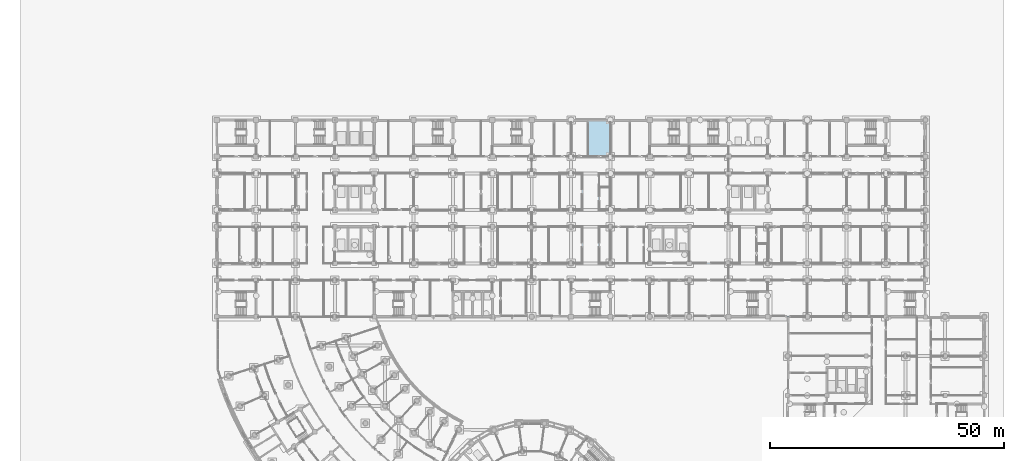
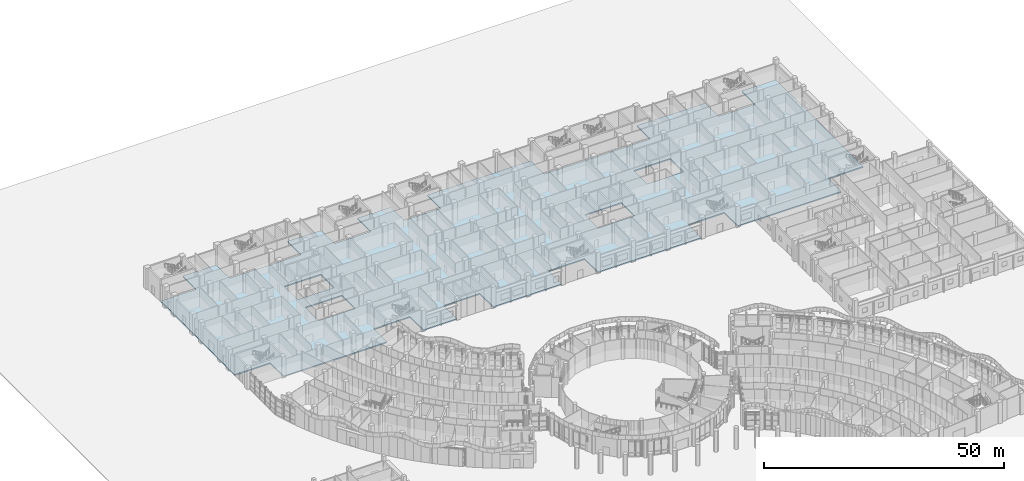
# One storey, part 47 of 146: 1 slab.
"""IFC4 building model written with IfcOpenShell, lengths in metres."""

from ifc_helpers import new_model, si_unit, direction, frame, origin, place, context, subcontext, project, spatial, polyline, outline, extrude, material, layer, layer_set, type_object, element, save


model = new_model("IFC4")

# Units and contexts
model_context = context("Model", 3, precision=1e-05, world=origin(), true_north=direction((0.0, 1.0)))
body_context = subcontext(model_context, "Body", "Model", "MODEL_VIEW")
ifc_project = project(units=[si_unit("LENGTHUNIT", "METRE"), si_unit("AREAUNIT", "SQUARE_METRE"), si_unit("VOLUMEUNIT", "CUBIC_METRE"), si_unit("PLANEANGLEUNIT", "RADIAN"), si_unit("MASSUNIT", "GRAM", prefix="KILO")], contexts=[model_context])

# Site, building, storey
site_placement = place(None, origin())
site = spatial("IfcSite", under=ifc_project, at=site_placement, CompositionType="ELEMENT")
building_placement = place(site_placement, origin())
building = spatial("IfcBuilding", under=site, at=building_placement, Name="Bougainvillea Quay General Hospital", CompositionType="ELEMENT")
storey_placement = place(building_placement, origin())
storey = spatial("IfcBuildingStorey", under=building, at=storey_placement, Name="L00", CompositionType="ELEMENT", Elevation=0.0)

# Slab
ifc_material = material(Name="Concrete C35", Category="concrete")
ifc_layer = layer(ifc_material, 0.300048828125)
ifc_layer_set = layer_set([ifc_layer], Name="Concrete C35")
slab_type = type_object("IfcSlabType", Name="RC FLAT SLAB 300 C35 GROUND", PredefinedType="BASESLAB", material=ifc_layer_set)
slab_placement = place(storey_placement, frame((0.0, 0.0, -0.300048828125)))
element("IfcSlab", 1, at=slab_placement, inside=storey, type_object=slab_type, Name="Slab S1 L00", PredefinedType="BASESLAB", context=body_context, shape_type="SweptSolid", body=[
    extrude(outline(polyline([(159.77490234375, 117.60009765625), (184.625, 117.60009765625), (184.625, 122.824951171875), (184.625, 123.175048828125), (193.02490234375, 123.175048828125), (193.199951171875, 123.175048828125), (193.199951171875, 159.60009765625), (184.97509765625, 159.60009765625), (184.97509765625, 154.02490234375), (184.625, 154.02490234375), (176.574951171875, 154.02490234375), (176.22509765625, 154.02490234375), (176.22509765625, 159.425048828125), (176.22509765625, 159.60009765625), (159.77490234375, 159.60009765625), (159.77490234375, 154.02490234375), (159.425048828125, 154.02490234375), (155.39990234375, 154.02490234375), (151.199951171875, 154.02490234375), (142.800048828125, 154.02490234375), (134.574951171875, 154.02490234375), (134.22509765625, 154.02490234375), (134.22509765625, 159.425048828125), (134.22509765625, 159.60009765625), (109.375, 159.60009765625), (109.375, 154.02490234375), (109.02490234375, 154.02490234375), (100.97509765625, 154.02490234375), (100.625, 154.02490234375), (100.625, 159.425048828125), (100.625, 159.60009765625), (92.574951171875, 159.60009765625), (92.574951171875, 154.02490234375), (92.22509765625, 154.02490234375), (84.175048828125, 154.02490234375), (83.824951171875, 154.02490234375), (83.824951171875, 159.425048828125), (83.824951171875, 159.60009765625), (75.77490234375, 159.60009765625), (75.77490234375, 154.02490234375), (75.425048828125, 154.02490234375), (72.800048828125, 154.02490234375), (70.0, 154.02490234375), (67.199951171875, 154.02490234375), (58.97509765625, 154.02490234375), (58.625, 154.02490234375), (58.625, 159.425048828125), (58.625, 159.60009765625), (50.574951171875, 159.60009765625), (50.574951171875, 154.02490234375), (50.22509765625, 154.02490234375), (42.175048828125, 154.02490234375), (42.0, 154.02490234375), (42.0, 123.175048828125), (50.22509765625, 123.175048828125), (50.574951171875, 123.175048828125), (50.574951171875, 117.60009765625), (75.425048828125, 117.60009765625), (75.425048828125, 122.824951171875), (75.425048828125, 123.175048828125), (83.824951171875, 123.175048828125), (84.175048828125, 123.175048828125), (84.175048828125, 117.60009765625), (92.22509765625, 117.60009765625), (92.22509765625, 122.824951171875), (92.22509765625, 123.175048828125), (94.5, 123.175048828125), (96.60009765625, 123.175048828125), (98.699951171875, 123.175048828125), (100.625, 123.175048828125), (100.97509765625, 123.175048828125), (100.97509765625, 117.60009765625), (117.425048828125, 117.60009765625), (117.425048828125, 122.824951171875), (117.425048828125, 123.175048828125), (125.824951171875, 123.175048828125), (126.175048828125, 123.175048828125), (126.175048828125, 117.60009765625), (151.02490234375, 117.60009765625), (151.02490234375, 122.824951171875), (151.02490234375, 123.175048828125), (159.425048828125, 123.175048828125), (159.77490234375, 123.175048828125), (159.77490234375, 117.60009765625)]), holes=[polyline([(159.77490234375, 145.77490234375), (159.77490234375, 140.22509765625), (159.425048828125, 140.22509765625), (156.800048828125, 140.22509765625), (154.0, 140.22509765625), (151.375, 140.22509765625), (151.02490234375, 140.22509765625), (151.02490234375, 145.425048828125), (151.02490234375, 145.77490234375), (154.0, 145.77490234375), (156.800048828125, 145.77490234375), (159.425048828125, 145.77490234375), (159.77490234375, 145.77490234375)]), polyline([(142.97509765625, 131.425048828125), (142.625, 131.425048828125), (140.0, 131.425048828125), (137.199951171875, 131.425048828125), (134.574951171875, 131.425048828125), (134.22509765625, 131.425048828125), (134.22509765625, 136.625), (134.22509765625, 136.97509765625), (137.199951171875, 136.97509765625), (140.0, 136.97509765625), (142.625, 136.97509765625), (142.97509765625, 136.97509765625), (142.97509765625, 131.425048828125)]), polyline([(75.77490234375, 145.77490234375), (75.77490234375, 140.22509765625), (75.425048828125, 140.22509765625), (72.800048828125, 140.22509765625), (70.0, 140.22509765625), (67.375, 140.22509765625), (67.02490234375, 140.22509765625), (67.02490234375, 145.425048828125), (67.02490234375, 145.77490234375), (70.0, 145.77490234375), (72.800048828125, 145.77490234375), (75.425048828125, 145.77490234375), (75.77490234375, 145.77490234375)]), polyline([(75.425048828125, 136.97509765625), (75.77490234375, 136.97509765625), (75.77490234375, 131.425048828125), (75.425048828125, 131.425048828125), (72.800048828125, 131.425048828125), (70.0, 131.425048828125), (67.375, 131.425048828125), (67.02490234375, 131.425048828125), (67.02490234375, 136.625), (67.02490234375, 136.97509765625), (70.0, 136.97509765625), (72.800048828125, 136.97509765625), (75.425048828125, 136.97509765625)])]), origin(), (0.0, 0.0, 1.0), 0.300048828125),
])

save(model, "model.ifc")
